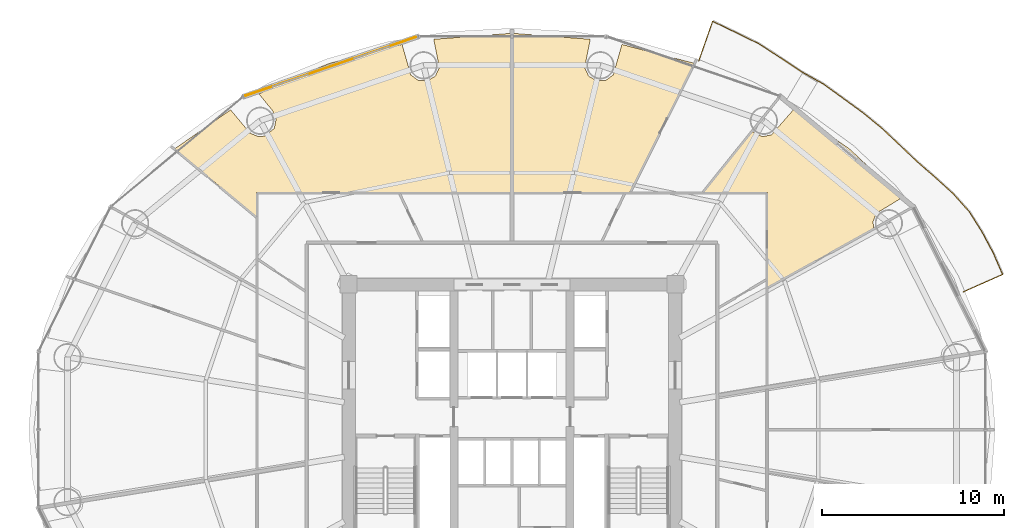
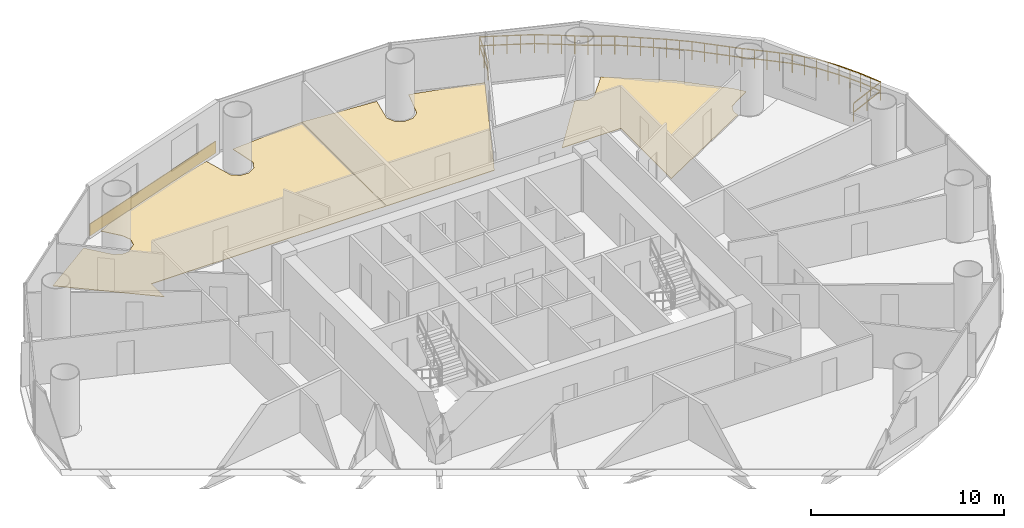
# One storey, part 29 of 29: 4 coverings, 1 railing.
"""IFC4 building model written with IfcOpenShell, lengths in metres."""

from ifc_helpers import new_model, si_unit, direction, frame, origin, origin_2d, place, context, subcontext, project, spatial, polyline, rectangle, outline, extrude, source, transform, mapped, material, layer, layer_set, type_object, element, save


model = new_model("IFC4")

# Units and contexts
model_context = context("Model", 3, precision=1e-05, world=origin(), true_north=direction((-0.2419218956, 0.970295726276)))
body_context = subcontext(model_context, "Body", "Model", "MODEL_VIEW")
ifc_project = project(units=[si_unit("LENGTHUNIT", "METRE"), si_unit("AREAUNIT", "SQUARE_METRE"), si_unit("VOLUMEUNIT", "CUBIC_METRE"), si_unit("PLANEANGLEUNIT", "RADIAN"), si_unit("MASSUNIT", "GRAM", prefix="KILO")], contexts=[model_context])

# Site, building, storey
site_placement = place(None, origin())
site = spatial("IfcSite", under=ifc_project, at=site_placement, CompositionType="ELEMENT")
building_placement = place(site_placement, origin())
building = spatial("IfcBuilding", under=site, at=building_placement, Name="Cobrevalo Terracotta Tower", CompositionType="ELEMENT")
storey_placement = place(building_placement, frame((0.0, 0.0, 83.39990234375)))
storey = spatial("IfcBuildingStorey", under=building, at=storey_placement, Name="L21", CompositionType="ELEMENT", Elevation=83.39990234375)

# Railing
ifc_material_1 = material(Name="Laminated structural glass and stainless steel", Category="steel")
railing_type = type_object("IfcRailingType", Name="Balcony lobe structural glass & terracotta-cap balustrade 1180 mm", PredefinedType="BALUSTRADE", material=ifc_material_1)
railing_placement = place(storey_placement, frame((62.83544921875, 34.383056640625, 0.0)))
element("IfcRailing", 1, at=railing_placement, inside=storey, type_object=railing_type, Name="L21 spiralling balcony lobe balustrade 1", PredefinedType="BALUSTRADE", context=body_context, shape_type="SweptSolid", body=[
    extrude(rectangle(XDim=0.048095703125, YDim=0.048095703125, at=origin_2d()), frame((0.0, 0.0, 1.15576171875), z_axis=(0.914641472355, 0.404265973153, 0.0), x_axis=(-0.404265973153, 0.914641472355, 0.0)), (0.0, 0.0, 1.0), 2.3720703125),
    extrude(rectangle(XDim=0.048095703125, YDim=0.048095703125, at=origin_2d()), frame((0.0, 0.0, 0.58984375), z_axis=(0.914641472355, 0.404265973153, 0.0), x_axis=(-0.404265973153, 0.914641472355, 0.0)), (0.0, 0.0, 1.0), 2.3720703125),
    extrude(rectangle(XDim=0.048095703125, YDim=0.048095703125, at=origin_2d()), frame((2.169677734375, 0.958984375, 1.15576171875), z_axis=(-0.399008660184, 0.916947157201, 0.0), x_axis=(-0.916947157201, -0.399008660184, 0.0)), (0.0, 0.0, 1.0), 1.29541015625),
    extrude(rectangle(XDim=0.048095703125, YDim=0.048095703125, at=origin_2d()), frame((2.169677734375, 0.958984375, 0.58984375), z_axis=(-0.399008660184, 0.916947157201, 0.0), x_axis=(-0.916947157201, -0.399008660184, 0.0)), (0.0, 0.0, 1.0), 1.29541015625),
    extrude(rectangle(XDim=0.048095703125, YDim=0.048095703125, at=origin_2d()), frame((1.65283203125, 2.146728515625, 1.15576171875), z_axis=(-0.470462908648, 0.882419770623, 0.0), x_axis=(-0.882419770623, -0.470462908648, 0.0)), (0.0, 0.0, 1.0), 1.314453125),
    extrude(rectangle(XDim=0.048095703125, YDim=0.048095703125, at=origin_2d()), frame((1.65283203125, 2.146728515625, 0.58984375), z_axis=(-0.470462908648, 0.882419770623, 0.0), x_axis=(-0.882419770623, -0.470462908648, 0.0)), (0.0, 0.0, 1.0), 1.314453125),
    extrude(rectangle(XDim=0.048095703125, YDim=0.048095703125, at=origin_2d()), frame((1.034423828125, 3.306640625, 1.15576171875), z_axis=(-0.533104211006, 0.846049584958, 0.0), x_axis=(-0.846049584958, -0.533104211006, 0.0)), (0.0, 0.0, 1.0), 1.31298828125),
    extrude(rectangle(XDim=0.048095703125, YDim=0.048095703125, at=origin_2d()), frame((1.034423828125, 3.306640625, 0.58984375), z_axis=(-0.533104211006, 0.846049584958, 0.0), x_axis=(-0.846049584958, -0.533104211006, 0.0)), (0.0, 0.0, 1.0), 1.31298828125),
    extrude(rectangle(XDim=0.048095703125, YDim=0.048095703125, at=origin_2d()), frame((0.33447265625, 4.41748046875, 1.15576171875), z_axis=(-0.666446054021, 0.745553255696, 0.0), x_axis=(-0.745553255696, -0.666446054021, 0.0)), (0.0, 0.0, 1.0), 1.330078125),
    extrude(rectangle(XDim=0.048095703125, YDim=0.048095703125, at=origin_2d()), frame((0.33447265625, 4.41748046875, 0.58984375), z_axis=(-0.666446054021, 0.745553255696, 0.0), x_axis=(-0.745553255696, -0.666446054021, 0.0)), (0.0, 0.0, 1.0), 1.330078125),
    extrude(rectangle(XDim=0.048095703125, YDim=0.048095703125, at=origin_2d()), frame((-0.552001953125, 5.4091796875, 1.15576171875), z_axis=(-0.740104980547, 0.672491351445, 0.0), x_axis=(-0.672491351445, -0.740104980547, 0.0)), (0.0, 0.0, 1.0), 1.339599609375),
    extrude(rectangle(XDim=0.048095703125, YDim=0.048095703125, at=origin_2d()), frame((-0.552001953125, 5.4091796875, 0.58984375), z_axis=(-0.740104980547, 0.672491351445, 0.0), x_axis=(-0.672491351445, -0.740104980547, 0.0)), (0.0, 0.0, 1.0), 1.339599609375),
    extrude(rectangle(XDim=0.048095703125, YDim=0.048095703125, at=origin_2d()), frame((-1.54345703125, 6.31005859375, 1.15576171875), z_axis=(-0.754291162383, 0.656540053882, 0.0), x_axis=(-0.656540053882, -0.754291162383, 0.0)), (0.0, 0.0, 1.0), 1.3212890625),
    extrude(rectangle(XDim=0.048095703125, YDim=0.048095703125, at=origin_2d()), frame((-1.54345703125, 6.31005859375, 0.58984375), z_axis=(-0.754291162383, 0.656540053882, 0.0), x_axis=(-0.656540053882, -0.754291162383, 0.0)), (0.0, 0.0, 1.0), 1.3212890625),
    extrude(rectangle(XDim=0.048095703125, YDim=0.048095703125, at=origin_2d()), frame((-2.5400390625, 7.177490234375, 1.15576171875), z_axis=(-0.724591583664, 0.689178523232, 0.0), x_axis=(-0.689178523232, -0.724591583664, 0.0)), (0.0, 0.0, 1.0), 1.33056640625),
    extrude(rectangle(XDim=0.048095703125, YDim=0.048095703125, at=origin_2d()), frame((-2.5400390625, 7.177490234375, 0.58984375), z_axis=(-0.724591583664, 0.689178523232, 0.0), x_axis=(-0.689178523232, -0.724591583664, 0.0)), (0.0, 0.0, 1.0), 1.33056640625),
    extrude(rectangle(XDim=0.048095703125, YDim=0.048095703125, at=origin_2d()), frame((-3.504150390625, 8.094482421875, 1.15576171875), z_axis=(-0.727206745399, 0.686418494394, 0.0), x_axis=(-0.686418494394, -0.727206745399, 0.0)), (0.0, 0.0, 1.0), 1.328857421875),
    extrude(rectangle(XDim=0.048095703125, YDim=0.048095703125, at=origin_2d()), frame((-3.504150390625, 8.094482421875, 0.58984375), z_axis=(-0.727206745399, 0.686418494394, 0.0), x_axis=(-0.686418494394, -0.727206745399, 0.0)), (0.0, 0.0, 1.0), 1.328857421875),
    extrude(rectangle(XDim=0.048095703125, YDim=0.048095703125, at=origin_2d()), frame((-4.470458984375, 9.006591796875, 1.15576171875), z_axis=(-0.773478440466, 0.633822610937, 0.0), x_axis=(-0.633822610937, -0.773478440466, 0.0)), (0.0, 0.0, 1.0), 1.3408203125),
    extrude(rectangle(XDim=0.048095703125, YDim=0.048095703125, at=origin_2d()), frame((-4.470458984375, 9.006591796875, 0.58984375), z_axis=(-0.773478440466, 0.633822610937, 0.0), x_axis=(-0.633822610937, -0.773478440466, 0.0)), (0.0, 0.0, 1.0), 1.3408203125),
    extrude(rectangle(XDim=0.048095703125, YDim=0.048095703125, at=origin_2d()), frame((-5.507568359375, 9.8564453125, 1.15576171875), z_axis=(-0.808034331862, 0.58913539915, 0.0), x_axis=(-0.58913539915, -0.808034331862, 0.0)), (0.0, 0.0, 1.0), 1.355224609375),
    extrude(rectangle(XDim=0.048095703125, YDim=0.048095703125, at=origin_2d()), frame((-5.507568359375, 9.8564453125, 0.58984375), z_axis=(-0.808034331862, 0.58913539915, 0.0), x_axis=(-0.58913539915, -0.808034331862, 0.0)), (0.0, 0.0, 1.0), 1.355224609375),
    extrude(rectangle(XDim=0.048095703125, YDim=0.048095703125, at=origin_2d()), frame((-6.6025390625, 10.65478515625, 1.15576171875), z_axis=(-0.809974625214, 0.586464923512, 0.0), x_axis=(-0.586464923512, -0.809974625214, 0.0)), (0.0, 0.0, 1.0), 1.353271484375),
    extrude(rectangle(XDim=0.048095703125, YDim=0.048095703125, at=origin_2d()), frame((-6.6025390625, 10.65478515625, 0.58984375), z_axis=(-0.809974625214, 0.586464923512, 0.0), x_axis=(-0.586464923512, -0.809974625214, 0.0)), (0.0, 0.0, 1.0), 1.353271484375),
    extrude(rectangle(XDim=0.048095703125, YDim=0.048095703125, at=origin_2d()), frame((-7.69873046875, 11.448486328125, 1.15576171875), z_axis=(-0.873271231933, 0.487234394802, 0.0), x_axis=(-0.487234394802, -0.873271231933, 0.0)), (0.0, 0.0, 1.0), 1.3798828125),
    extrude(rectangle(XDim=0.048095703125, YDim=0.048095703125, at=origin_2d()), frame((-7.69873046875, 11.448486328125, 0.58984375), z_axis=(-0.873271231933, 0.487234394802, 0.0), x_axis=(-0.487234394802, -0.873271231933, 0.0)), (0.0, 0.0, 1.0), 1.3798828125),
    extrude(rectangle(XDim=0.048095703125, YDim=0.048095703125, at=origin_2d()), frame((-8.90380859375, 12.120849609375, 1.15576171875), z_axis=(-0.832375171097, 0.554212571619, 0.0), x_axis=(-0.554212571619, -0.832375171097, 0.0)), (0.0, 0.0, 1.0), 1.38671875),
    extrude(rectangle(XDim=0.048095703125, YDim=0.048095703125, at=origin_2d()), frame((-8.90380859375, 12.120849609375, 0.58984375), z_axis=(-0.832375171097, 0.554212571619, 0.0), x_axis=(-0.554212571619, -0.832375171097, 0.0)), (0.0, 0.0, 1.0), 1.38671875),
    extrude(rectangle(XDim=0.048095703125, YDim=0.048095703125, at=origin_2d()), frame((-10.05810546875, 12.889404296875, 1.15576171875), z_axis=(-0.838851997806, 0.544359555604, 0.0), x_axis=(-0.544359555604, -0.838851997806, 0.0)), (0.0, 0.0, 1.0), 1.406005859375),
    extrude(rectangle(XDim=0.048095703125, YDim=0.048095703125, at=origin_2d()), frame((-10.05810546875, 12.889404296875, 0.58984375), z_axis=(-0.838851997806, 0.544359555604, 0.0), x_axis=(-0.544359555604, -0.838851997806, 0.0)), (0.0, 0.0, 1.0), 1.406005859375),
    extrude(rectangle(XDim=0.048095703125, YDim=0.048095703125, at=origin_2d()), frame((-11.237548828125, 13.65478515625, 1.15576171875), z_axis=(-0.897980774208, 0.440034690852, 0.0), x_axis=(-0.440034690852, -0.897980774208, 0.0)), (0.0, 0.0, 1.0), 1.41748046875),
    extrude(rectangle(XDim=0.048095703125, YDim=0.048095703125, at=origin_2d()), frame((-11.237548828125, 13.65478515625, 0.58984375), z_axis=(-0.897980774208, 0.440034690852, 0.0), x_axis=(-0.440034690852, -0.897980774208, 0.0)), (0.0, 0.0, 1.0), 1.41748046875),
    extrude(rectangle(XDim=0.048095703125, YDim=0.048095703125, at=origin_2d()), frame((-12.510498046875, 14.278564453125, 1.15576171875), z_axis=(-0.901215072095, 0.43337211935, 0.0), x_axis=(-0.43337211935, -0.901215072095, 0.0)), (0.0, 0.0, 1.0), 1.423583984375),
    extrude(rectangle(XDim=0.048095703125, YDim=0.048095703125, at=origin_2d()), frame((-12.510498046875, 14.278564453125, 0.58984375), z_axis=(-0.901215072095, 0.43337211935, 0.0), x_axis=(-0.43337211935, -0.901215072095, 0.0)), (0.0, 0.0, 1.0), 1.423583984375),
    extrude(rectangle(XDim=0.048095703125, YDim=0.048095703125, at=origin_2d()), frame((-13.79345703125, 14.8955078125, 1.15576171875), z_axis=(-0.330387811846, -0.943845270044, 0.0), x_axis=(0.943845270044, -0.330387811846, 0.0)), (0.0, 0.0, 1.0), 2.326904296875),
    extrude(rectangle(XDim=0.048095703125, YDim=0.048095703125, at=origin_2d()), frame((-13.79345703125, 14.8955078125, 0.58984375), z_axis=(-0.330387811846, -0.943845270044, 0.0), x_axis=(0.943845270044, -0.330387811846, 0.0)), (0.0, 0.0, 1.0), 2.326904296875),
    extrude(rectangle(XDim=0.0419921875, YDim=0.0419921875, at=origin_2d()), origin(), (0.0, 0.0, 1.0), 1.1318359375),
    extrude(rectangle(XDim=0.0419921875, YDim=0.0419921875, at=origin_2d()), frame((1.0849609375, 0.4794921875, 0.0)), (0.0, 0.0, 1.0), 1.1318359375),
    extrude(rectangle(XDim=0.0419921875, YDim=0.0419921875, at=origin_2d()), frame((2.169677734375, 0.958984375, 0.0)), (0.0, 0.0, 1.0), 1.1318359375),
    extrude(rectangle(XDim=0.0419921875, YDim=0.0419921875, at=origin_2d()), frame((1.9111328125, 1.552734375, 0.0)), (0.0, 0.0, 1.0), 1.1318359375),
    extrude(rectangle(XDim=0.0419921875, YDim=0.0419921875, at=origin_2d()), frame((1.65283203125, 2.146728515625, 0.0)), (0.0, 0.0, 1.0), 1.1318359375),
    extrude(rectangle(XDim=0.0419921875, YDim=0.0419921875, at=origin_2d()), frame((1.34375, 2.7265625, 0.0)), (0.0, 0.0, 1.0), 1.1318359375),
    extrude(rectangle(XDim=0.0419921875, YDim=0.0419921875, at=origin_2d()), frame((1.034423828125, 3.306640625, 0.0)), (0.0, 0.0, 1.0), 1.1318359375),
    extrude(rectangle(XDim=0.0419921875, YDim=0.0419921875, at=origin_2d()), frame((0.6845703125, 3.862060546875, 0.0)), (0.0, 0.0, 1.0), 1.1318359375),
    extrude(rectangle(XDim=0.0419921875, YDim=0.0419921875, at=origin_2d()), frame((0.33447265625, 4.41748046875, 0.0)), (0.0, 0.0, 1.0), 1.1318359375),
    extrude(rectangle(XDim=0.0419921875, YDim=0.0419921875, at=origin_2d()), frame((-0.10888671875, 4.913330078125, 0.0)), (0.0, 0.0, 1.0), 1.1318359375),
    extrude(rectangle(XDim=0.0419921875, YDim=0.0419921875, at=origin_2d()), frame((-0.552001953125, 5.4091796875, 0.0)), (0.0, 0.0, 1.0), 1.1318359375),
    extrude(rectangle(XDim=0.0419921875, YDim=0.0419921875, at=origin_2d()), frame((-1.0478515625, 5.859619140625, 0.0)), (0.0, 0.0, 1.0), 1.1318359375),
    extrude(rectangle(XDim=0.0419921875, YDim=0.0419921875, at=origin_2d()), frame((-1.54345703125, 6.31005859375, 0.0)), (0.0, 0.0, 1.0), 1.1318359375),
    extrude(rectangle(XDim=0.0419921875, YDim=0.0419921875, at=origin_2d()), frame((-2.041748046875, 6.74365234375, 0.0)), (0.0, 0.0, 1.0), 1.1318359375),
    extrude(rectangle(XDim=0.0419921875, YDim=0.0419921875, at=origin_2d()), frame((-2.5400390625, 7.177490234375, 0.0)), (0.0, 0.0, 1.0), 1.1318359375),
    extrude(rectangle(XDim=0.0419921875, YDim=0.0419921875, at=origin_2d()), frame((-3.02197265625, 7.635986328125, 0.0)), (0.0, 0.0, 1.0), 1.1318359375),
    extrude(rectangle(XDim=0.0419921875, YDim=0.0419921875, at=origin_2d()), frame((-3.504150390625, 8.094482421875, 0.0)), (0.0, 0.0, 1.0), 1.1318359375),
    extrude(rectangle(XDim=0.0419921875, YDim=0.0419921875, at=origin_2d()), frame((-3.9873046875, 8.550537109375, 0.0)), (0.0, 0.0, 1.0), 1.1318359375),
    extrude(rectangle(XDim=0.0419921875, YDim=0.0419921875, at=origin_2d()), frame((-4.470458984375, 9.006591796875, 0.0)), (0.0, 0.0, 1.0), 1.1318359375),
    extrude(rectangle(XDim=0.0419921875, YDim=0.0419921875, at=origin_2d()), frame((-4.989013671875, 9.431640625, 0.0)), (0.0, 0.0, 1.0), 1.1318359375),
    extrude(rectangle(XDim=0.0419921875, YDim=0.0419921875, at=origin_2d()), frame((-5.507568359375, 9.8564453125, 0.0)), (0.0, 0.0, 1.0), 1.1318359375),
    extrude(rectangle(XDim=0.0419921875, YDim=0.0419921875, at=origin_2d()), frame((-6.05517578125, 10.255615234375, 0.0)), (0.0, 0.0, 1.0), 1.1318359375),
    extrude(rectangle(XDim=0.0419921875, YDim=0.0419921875, at=origin_2d()), frame((-6.6025390625, 10.65478515625, 0.0)), (0.0, 0.0, 1.0), 1.1318359375),
    extrude(rectangle(XDim=0.0419921875, YDim=0.0419921875, at=origin_2d()), frame((-7.150634765625, 11.0517578125, 0.0)), (0.0, 0.0, 1.0), 1.1318359375),
    extrude(rectangle(XDim=0.0419921875, YDim=0.0419921875, at=origin_2d()), frame((-7.69873046875, 11.448486328125, 0.0)), (0.0, 0.0, 1.0), 1.1318359375),
    extrude(rectangle(XDim=0.0419921875, YDim=0.0419921875, at=origin_2d()), frame((-8.30126953125, 11.78466796875, 0.0)), (0.0, 0.0, 1.0), 1.1318359375),
    extrude(rectangle(XDim=0.0419921875, YDim=0.0419921875, at=origin_2d()), frame((-8.90380859375, 12.120849609375, 0.0)), (0.0, 0.0, 1.0), 1.1318359375),
    extrude(rectangle(XDim=0.0419921875, YDim=0.0419921875, at=origin_2d()), frame((-9.48095703125, 12.505126953125, 0.0)), (0.0, 0.0, 1.0), 1.1318359375),
    extrude(rectangle(XDim=0.0419921875, YDim=0.0419921875, at=origin_2d()), frame((-10.05810546875, 12.889404296875, 0.0)), (0.0, 0.0, 1.0), 1.1318359375),
    extrude(rectangle(XDim=0.0419921875, YDim=0.0419921875, at=origin_2d()), frame((-10.64794921875, 13.27197265625, 0.0)), (0.0, 0.0, 1.0), 1.1318359375),
    extrude(rectangle(XDim=0.0419921875, YDim=0.0419921875, at=origin_2d()), frame((-11.237548828125, 13.65478515625, 0.0)), (0.0, 0.0, 1.0), 1.1318359375),
    extrude(rectangle(XDim=0.0419921875, YDim=0.0419921875, at=origin_2d()), frame((-11.8740234375, 13.966796875, 0.0)), (0.0, 0.0, 1.0), 1.1318359375),
    extrude(rectangle(XDim=0.0419921875, YDim=0.0419921875, at=origin_2d()), frame((-12.510498046875, 14.278564453125, 0.0)), (0.0, 0.0, 1.0), 1.1318359375),
    extrude(rectangle(XDim=0.0419921875, YDim=0.0419921875, at=origin_2d()), frame((-13.15185546875, 14.5869140625, 0.0)), (0.0, 0.0, 1.0), 1.1318359375),
    extrude(rectangle(XDim=0.0419921875, YDim=0.0419921875, at=origin_2d()), frame((-13.79345703125, 14.8955078125, 0.0)), (0.0, 0.0, 1.0), 1.1318359375),
    extrude(rectangle(XDim=0.0419921875, YDim=0.0419921875, at=origin_2d()), frame((-14.177734375, 13.79736328125, 0.0)), (0.0, 0.0, 1.0), 1.1318359375),
    extrude(rectangle(XDim=0.0419921875, YDim=0.0419921875, at=origin_2d()), frame((-14.562255859375, 12.69921875, 0.0)), (0.0, 0.0, 1.0), 1.1318359375),
])

# Coverings
ifc_material_2 = material(Name="Engineered Brazilian hardwood flooring", Category="wood")
ifc_layer_1 = layer(ifc_material_2, 0.028076171875)
ifc_layer_set_1 = layer_set([ifc_layer_1], Name="Engineered Brazilian hardwood flooring")
covering_type_1 = type_object("IfcCoveringType", Name="Engineered Hardwood Suite Flooring 28", PredefinedType="FLOORING", material=ifc_layer_set_1)
covering_1_placement = place(storey_placement, origin())
element("IfcCovering", 2, at=covering_1_placement, inside=storey, type_object=covering_type_1, Name="Flat L21A Master Bedroom floor finish", PredefinedType="FLOORING", context=body_context, shape_type="SweptSolid", body=[
    extrude(outline(polyline([(56.6123046875, 42.227783203125), (58.882080078125, 40.081787109375), (59.35302734375, 39.49755859375), (58.05908203125, 38.712890625), (57.868408203125, 38.23876953125), (57.916259765625, 37.879150390625), (52.054931640625, 34.62548828125), (52.054931640625, 39.85498046875), (48.52490234375, 39.85498046875), (51.219970703125, 43.2060546875), (51.778076171875, 42.927490234375), (52.27880859375, 43.02880859375), (53.488525390625, 44.40673828125), (56.6123046875, 42.227783203125)])), origin(), (0.0, 0.0, 1.0), 0.030029296875),
])
covering_2_placement = place(storey_placement, origin())
element("IfcCovering", 3, at=covering_2_placement, inside=storey, type_object=covering_type_1, Name="Flat L21A Penthouse Family Lounge floor finish", PredefinedType="FLOORING", context=body_context, shape_type="SweptSolid", body=[
    extrude(outline(polyline([(44.486328125, 39.85498046875), (38.02001953125, 39.85498046875), (38.02001953125, 48.618896484375), (42.3095703125, 48.2890625), (41.997802734375, 46.721435546875), (42.2197265625, 46.26123046875), (42.659912109375, 46.001708984375), (43.170166015625, 46.030517578125), (43.578125, 46.337890625), (44.05078125, 48.001953125), (48.033447265625, 46.9697265625), (44.486328125, 39.85498046875)])), origin(), (0.0, 0.0, 1.0), 0.030029296875),
])
covering_3_placement = place(storey_placement, origin())
element("IfcCovering", 4, at=covering_3_placement, inside=storey, type_object=covering_type_1, Name="Flat L21B Penthouse Living and Dining Room floor finish", PredefinedType="FLOORING", context=body_context, shape_type="SweptSolid", body=[
    extrude(outline(polyline([(22.511474609375, 44.40673828125), (23.577880859375, 43.125), (24.04931640625, 42.927978515625), (24.391357421875, 42.96044921875), (24.913330078125, 43.38623046875), (25.0146484375, 43.886962890625), (24.8212890625, 44.35888671875), (24.07568359375, 45.273193359375), (24.838623046875, 45.696044921875), (27.926513671875, 46.95849609375), (31.94921875, 48.001953125), (32.421875, 46.337890625), (32.829833984375, 46.030517578125), (33.340087890625, 46.001708984375), (33.7802734375, 46.26123046875), (34.002197265625, 46.721435546875), (33.6904296875, 48.2890625), (37.97998046875, 48.618896484375), (37.97998046875, 39.85498046875), (23.945068359375, 39.85498046875), (23.945068359375, 38.503173828125), (19.42724609375, 42.256591796875), (22.511474609375, 44.40673828125)])), origin(), (0.0, 0.0, 1.0), 0.030029296875),
])
ifc_material_3 = material(Name="Glazed terracotta facade cladding tile", Category="masonry")
ifc_layer_2 = layer(ifc_material_3, 0.044921875)
ifc_layer_set_2 = layer_set([ifc_layer_2], Name="Glazed terracotta facade cladding tile")
covering_type_2 = type_object("IfcCoveringType", Name="Architectural terracotta rainscreen spandrel cladding 45 mm", PredefinedType="CLADDING", material=ifc_layer_set_2)
shared_shape = source(origin(), body_context, "Body", "SweptSolid", [
    extrude(rectangle(XDim=9.928955078125, YDim=0.044921875, at=origin_2d()), origin(), (0.0, 0.0, 1.0), 0.760009765625),
])
covering_4_placement = place(storey_placement, frame((28.027587890625, 46.79833984375, 0.0400390625), z_axis=(0.0, 0.0, 1.0), x_axis=(-0.945596395206, -0.325342062104, 0.0)))
element("IfcCovering", 5, at=covering_4_placement, inside=storey, type_object=covering_type_2, Name="L21 terracotta spandrel cladding S05", PredefinedType="CLADDING", context=body_context, shape_type="MappedRepresentation", body=[
    mapped(shared_shape, transform((0.0, 0.0, 0.0), scale=1.0)),
])

save(model, "model.ifc")
